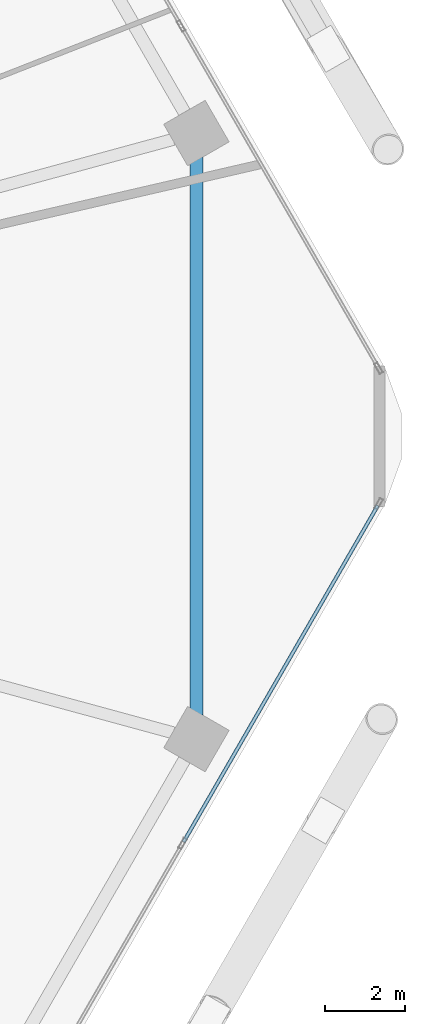
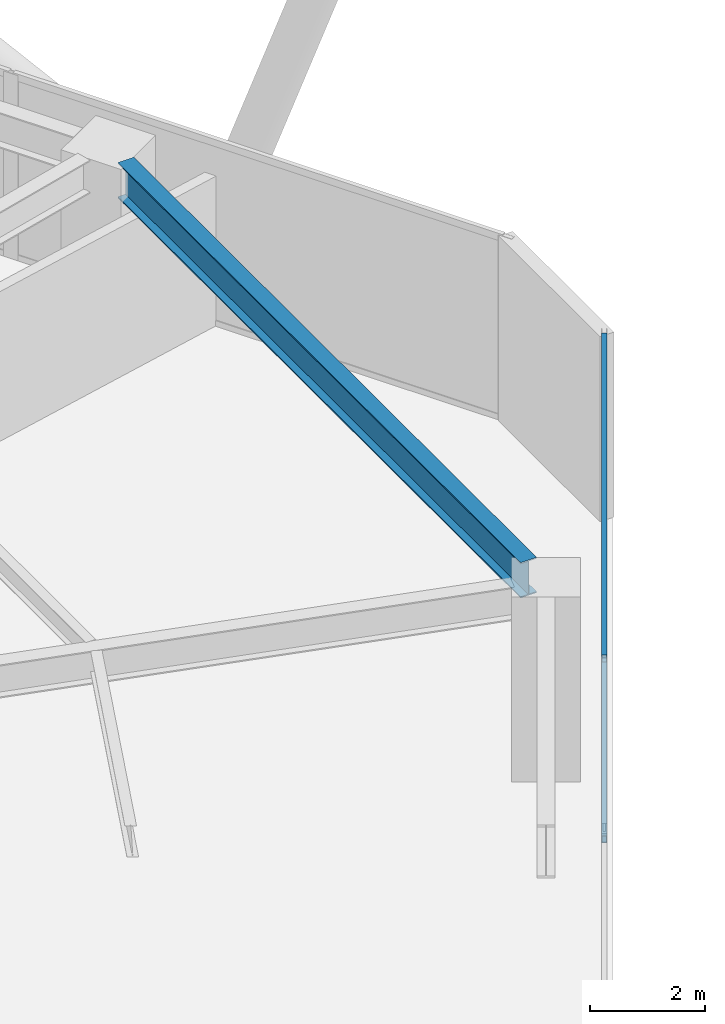
# One storey, part 12 of 28: 2 members, 1 beam, 1 element without a shape of its own.
"""IFC4 building model written with IfcOpenShell, lengths in metres."""

from ifc_helpers import new_model, si_unit, direction, frame, origin, origin_2d, place, context, subcontext, project, spatial, hollow_rectangle, i_section, extrude, material, material_profile, profile_set, type_object, element, aggregate, save


model = new_model("IFC4")

# Units and contexts
model_context = context("Model", 3, precision=1e-05, world=origin(), true_north=direction((0.0, 1.0)))
body_context = subcontext(model_context, "Body", "Model", "MODEL_VIEW")
ifc_project = project(units=[si_unit("LENGTHUNIT", "METRE"), si_unit("AREAUNIT", "SQUARE_METRE"), si_unit("VOLUMEUNIT", "CUBIC_METRE"), si_unit("PLANEANGLEUNIT", "RADIAN"), si_unit("MASSUNIT", "GRAM", prefix="KILO")], contexts=[model_context])

# Site, building, storey
site_placement = place(None, origin())
site = spatial("IfcSite", under=ifc_project, at=site_placement, CompositionType="ELEMENT")
building_placement = place(site_placement, origin())
building = spatial("IfcBuilding", under=site, at=building_placement, Name="Zuhravey Tower", CompositionType="ELEMENT")
storey_placement = place(building_placement, frame((0.0, 0.0, 49.800048828125)))
storey = spatial("IfcBuildingStorey", under=building, at=storey_placement, Name="L12", CompositionType="ELEMENT", Elevation=49.800048828125)

# Curtain wall, members
ifc_material_1 = material(Name="Thermally broken anodised aluminium", Category="aluminium")
curtain_wall_type = type_object("IfcCurtainWallType", Name="School Low-E Unitised Curtain Wall CW1", PredefinedType="NOTDEFINED", material=ifc_material_1)
curtain_wall_placement = place(storey_placement, origin())
curtain_wall = element("IfcCurtainWall", 1, at=curtain_wall_placement, inside=storey, type_object=curtain_wall_type, Name="L12 CW1 CW-L12-F6-1", PredefinedType="NOTDEFINED")
ifc_material_2 = material(Name="Anodised aluminium", Category="aluminium")
ifc_material_profile_1 = material_profile(ifc_material_2, hollow_rectangle(XDim=0.090087890625, YDim=0.14990234375, WallThickness=0.0048828125, at=origin_2d()), Name="ALU-RHS-90x150x5")
ifc_profile_set_1 = profile_set([ifc_material_profile_1], Name="Anodised aluminium")
member_type = type_object("IfcMemberType", Name="Curtain-Wall Transom 90x150", PredefinedType="USERDEFINED", material=ifc_profile_set_1)
member_1_placement = place(storey_placement, frame((68.43359375, 30.259521484375, 0.044921875), z_axis=(-0.500008393077, -0.866020557985, 0.0), x_axis=(0.866020557985, -0.500008393077, 0.0)))
member_1 = element("IfcMember", 2, at=member_1_placement, type_object=member_type, Name="CW1 transom 1.1", ObjectType="TRANSOM", PredefinedType="USERDEFINED", context=body_context, shape_type="SweptSolid", body=[
    extrude(hollow_rectangle(XDim=0.090087890625, YDim=0.14990234375, WallThickness=0.0048828125, at=origin_2d()), origin(), (0.0, 0.0, 1.0), 9.731201171875),
])
member_2_placement = place(storey_placement, frame((68.43359375, 30.259521484375, 3.875), z_axis=(-0.500008393077, -0.866020557985, 0.0), x_axis=(0.866020557985, -0.500008393077, 0.0)))
member_2 = element("IfcMember", 3, at=member_2_placement, type_object=member_type, Name="CW1 transom 1.2", ObjectType="TRANSOM", PredefinedType="USERDEFINED", context=body_context, shape_type="SweptSolid", body=[
    extrude(hollow_rectangle(XDim=0.090087890625, YDim=0.14990234375, WallThickness=0.0048828125, at=origin_2d()), origin(), (0.0, 0.0, 1.0), 9.731201171875),
])
aggregate(curtain_wall, [member_1, member_2])

# Beam
ifc_material_3 = material(Name="Steel SM355", Category="steel")
ifc_material_profile_2 = material_profile(ifc_material_3, i_section(OverallWidth=0.320068359375, OverallDepth=0.75, WebThickness=0.013916015625, FlangeThickness=0.02490234375, at=origin_2d()), Name="H-750x320x14x25")
ifc_profile_set_2 = profile_set([ifc_material_profile_2], Name="Steel SM355")
beam_type = type_object("IfcBeamType", Name="Perimeter Ring Beam H750x320", PredefinedType="BEAM", material=ifc_profile_set_2)
beam_placement = place(storey_placement, frame((63.88916015625, 25.011474609375, 3.544921875), z_axis=(0.0, 1.0, 0.0), x_axis=(-1.0, 0.0, 0.0)))
element("IfcBeam", 4, at=beam_placement, inside=storey, type_object=beam_type, Name="L12 PB1 BM-L12-PB-12", PredefinedType="BEAM", context=body_context, shape_type="SweptSolid", body=[
    extrude(i_section(OverallWidth=0.320068359375, OverallDepth=0.75, WebThickness=0.013916015625, FlangeThickness=0.02490234375, at=origin_2d()), origin(), (0.0, 0.0, 1.0), 13.97705078125),
])

save(model, "model.ifc")
